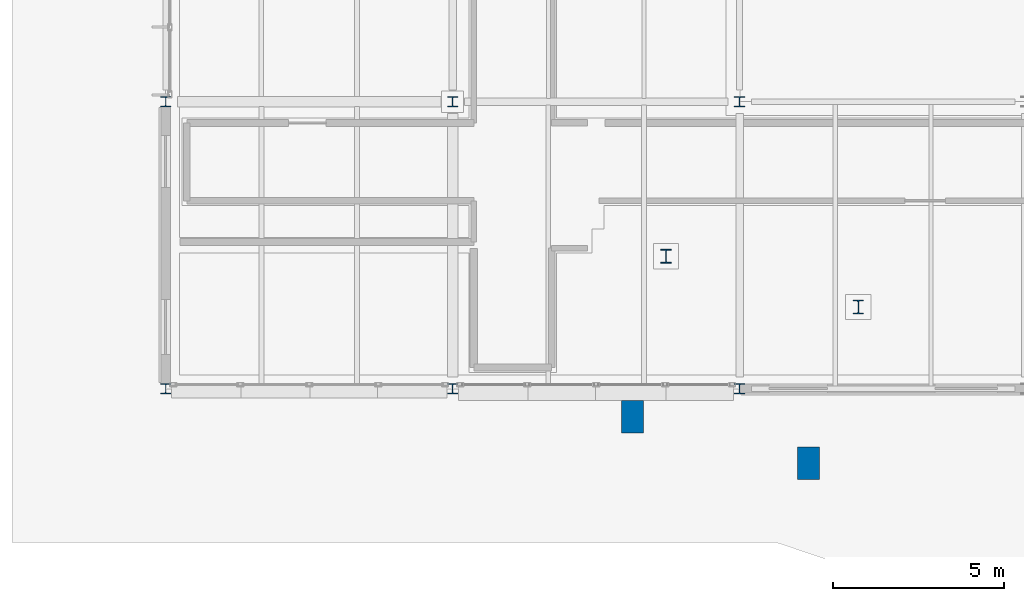
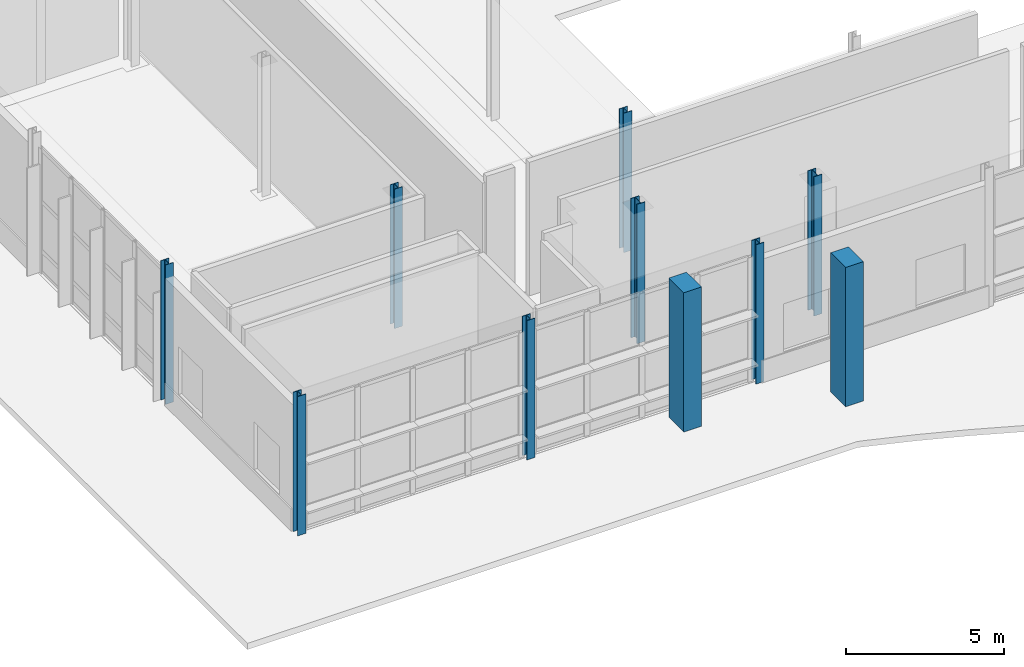
# One storey, part 2 of 124: 10 columns.
"""IFC4 building model written with IfcOpenShell, lengths in metres."""

from ifc_helpers import new_model, si_unit, direction, frame, origin, origin_2d, place, context, subcontext, project, spatial, rectangle, i_section, extrude, material, material_profile, profile_set, type_object, element, save


model = new_model("IFC4")

# Units and contexts
model_context = context("Model", 3, precision=1e-05, world=origin(), true_north=direction((0.0, 1.0)))
body_context = subcontext(model_context, "Body", "Model", "MODEL_VIEW")
ifc_project = project(units=[si_unit("LENGTHUNIT", "METRE"), si_unit("AREAUNIT", "SQUARE_METRE"), si_unit("VOLUMEUNIT", "CUBIC_METRE"), si_unit("PLANEANGLEUNIT", "RADIAN"), si_unit("MASSUNIT", "GRAM", prefix="KILO")], contexts=[model_context])

# Site, building, storey
site_placement = place(None, origin())
site = spatial("IfcSite", under=ifc_project, at=site_placement, CompositionType="ELEMENT")
building_placement = place(site_placement, origin())
building = spatial("IfcBuilding", under=site, at=building_placement, Name="Mersafa Astral City Hall", CompositionType="ELEMENT")
storey_placement = place(building_placement, origin())
storey = spatial("IfcBuildingStorey", under=building, at=storey_placement, Name="L00", CompositionType="ELEMENT", Elevation=0.0)

# Columns
ifc_material_1 = material(Name="Steel S355", Category="steel")
ifc_material_profile_1 = material_profile(ifc_material_1, i_section(OverallWidth=0.300048828125, OverallDepth=0.300048828125, WebThickness=0.010986328125, FlangeThickness=0.01904296875, FilletRadius=0.027099609375, at=origin_2d()), Name="HEB 300")
ifc_profile_set_1 = profile_set([ifc_material_profile_1], Name="Steel S355")
column_type_1 = type_object("IfcColumnType", Name="STR-COL-HEB300", PredefinedType="COLUMN", material=ifc_profile_set_1)
for number, where, z_axis, x_axis, name in (
    (1, (8.39990234375, 50.39990234375, 0.0), (0.0, 0.0, 1.0), (1.0, 0.0, 0.0), "L00 Structural column G-01-06"),
    (2, (8.39990234375, 58.800048828125, 0.0), (0.0, 0.0, 1.0), (1.0, 0.0, 0.0), "L00 Structural column G-01-07"),
    (3, (16.800048828125, 50.39990234375, 0.0), (0.0, 0.0, 1.0), (1.0, 0.0, 0.0), "L00 Structural column G-02-06"),
    (4, (16.800048828125, 58.800048828125, 0.0), (0.0, 0.0, 1.0), (1.0, 0.0, 0.0), "L00 Structural column G-02-07"),
    (5, (25.199951171875, 50.39990234375, 0.0), (0.0, 0.0, 1.0), (1.0, 0.0, 0.0), "L00 Structural column G-03-06"),
    (6, (25.199951171875, 58.800048828125, 0.0), (0.0, 0.0, 1.0), (1.0, 0.0, 0.0), "L00 Structural column G-03-07"),
):
    element("IfcColumn", number, at=place(storey_placement, frame(where, z_axis=z_axis, x_axis=x_axis)), inside=storey, type_object=column_type_1, Name=name, PredefinedType="COLUMN", context=body_context, shape_type="SweptSolid", body=[
        extrude(i_section(OverallWidth=0.300048828125, OverallDepth=0.300048828125, WebThickness=0.010986328125, FlangeThickness=0.01904296875, FilletRadius=0.027099609375, at=origin_2d()), origin(), (0.0, 0.0, 1.0), 5.39990234375),
    ])
ifc_material_profile_2 = material_profile(ifc_material_1, i_section(OverallWidth=0.300048828125, OverallDepth=0.39990234375, WebThickness=0.013427734375, FlangeThickness=0.02392578125, FilletRadius=0.027099609375, at=origin_2d()), Name="HEB 400")
ifc_profile_set_2 = profile_set([ifc_material_profile_2], Name="Steel S355")
column_type_2 = type_object("IfcColumnType", Name="STR-COL-HEB400", PredefinedType="COLUMN", material=ifc_profile_set_2)
for number, where, z_axis, x_axis, name in (
    (7, (23.047607421875, 54.273681640625, 0.0), (0.0, 0.0, 1.0), (1.0, 0.0, 0.0), "L00 Shaded Front Arcade inner column ARCI-02"),
    (8, (28.67431640625, 52.7900390625, 0.0), (0.0, 0.0, 1.0), (1.0, 0.0, 0.0), "L00 Shaded Front Arcade inner column ARCI-03"),
):
    element("IfcColumn", number, at=place(storey_placement, frame(where, z_axis=z_axis, x_axis=x_axis)), inside=storey, type_object=column_type_2, Name=name, PredefinedType="COLUMN", context=body_context, shape_type="SweptSolid", body=[
        extrude(i_section(OverallWidth=0.300048828125, OverallDepth=0.39990234375, WebThickness=0.013427734375, FlangeThickness=0.02392578125, FilletRadius=0.027099609375, at=origin_2d()), origin(), (0.0, 0.0, 1.0), 5.39990234375),
    ])
ifc_material_2 = material(Name="Concrete C40/50", Category="concrete")
ifc_material_profile_3 = material_profile(ifc_material_2, rectangle(XDim=0.64990234375, YDim=0.949951171875, at=origin_2d()), Name="RC 650x950")
ifc_profile_set_3 = profile_set([ifc_material_profile_3], Name="Concrete C40/50")
column_type_3 = type_object("IfcColumnType", Name="STR-PIER-RC650X950", PredefinedType="PILASTER", material=ifc_profile_set_3)
for number, where, z_axis, x_axis, name in (
    (9, (22.06298828125, 49.57568359375, 0.0), (0.0, 0.0, 1.0), (1.0, 0.0, 0.0), "L00 Shaded Front Arcade outer pier ARCO-02"),
    (10, (27.21435546875, 48.217529296875, 0.0), (0.0, 0.0, 1.0), (1.0, 0.0, 0.0), "L00 Shaded Front Arcade outer pier ARCO-03"),
):
    element("IfcColumn", number, at=place(storey_placement, frame(where, z_axis=z_axis, x_axis=x_axis)), inside=storey, type_object=column_type_3, Name=name, PredefinedType="PILASTER", context=body_context, shape_type="SweptSolid", body=[
        extrude(rectangle(XDim=0.64990234375, YDim=0.949951171875, at=origin_2d()), origin(), (0.0, 0.0, 1.0), 5.39990234375),
    ])

save(model, "model.ifc")
